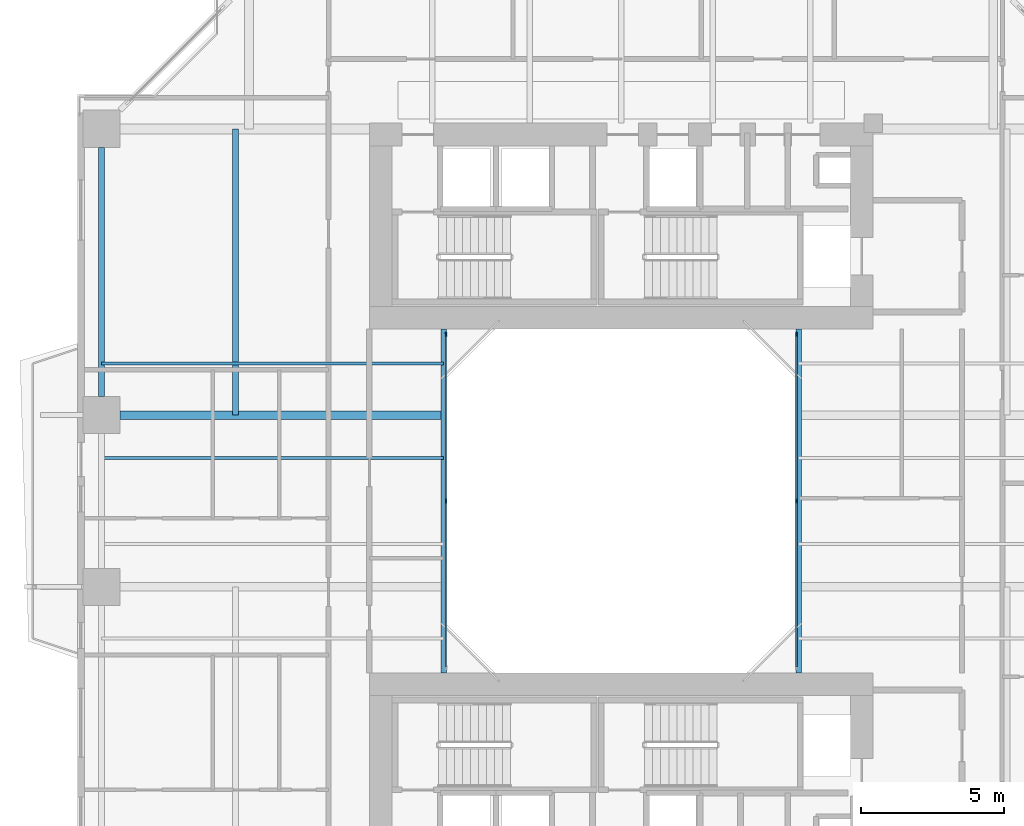
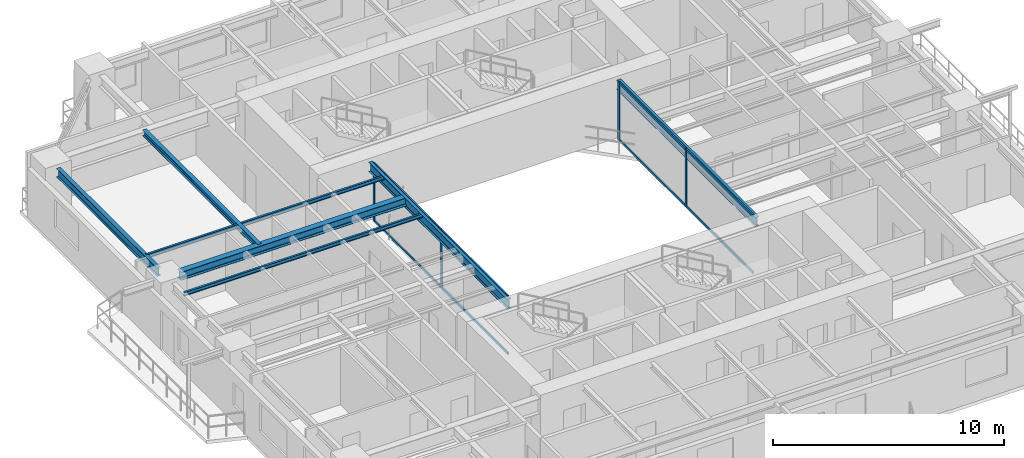
# One storey, part 4 of 23: 12 members, 7 beams, 2 elements without a shape of their own.
"""IFC4 building model written with IfcOpenShell, lengths in metres."""

import ifcopenshell
import ifcopenshell.guid

model = None  # the IFC model being written
_history = None  # IfcOwnerHistory: only IFC2X3 demands one
_inside = {}  # id of a spatial element -> (the spatial element, [elements in it])
_under = {}  # id of a project, library or spatial element -> (it, [spatial elements below it])
_declared = {}  # id of a project -> (the project, [libraries it declares])
_typed = {}  # id of a type object -> (the type object, [elements of that type])
_made_of = {}  # id of a material, layer set ... -> (it, [elements and type objects made of it])


def new_model(schema):
    """Start an empty IFC model of exactly this schema.

    Asked for "IFC4X3", IfcOpenShell would pick the latest addendum, in which some entities
    have other attributes; the version numbers below select the first issue.
    IFC2X3 requires an IfcOwnerHistory on every rooted entity: one is made here for all.
    """
    global model, _history
    if schema == "IFC4X3":
        model = ifcopenshell.file(schema_version=(4, 3, 0, 0))
    else:
        model = ifcopenshell.file(schema=schema)
    _inside.clear()
    _under.clear()
    _declared.clear()
    _typed.clear()
    _made_of.clear()
    _history = None
    if model.schema == "IFC2X3":
        org = make("IfcOrganization", Name="unknown")
        user = make(
            "IfcPersonAndOrganization",
            ThePerson=make("IfcPerson", FamilyName="unknown"),
            TheOrganization=org,
        )
        app = make(
            "IfcApplication",
            ApplicationDeveloper=org,
            Version="unknown",
            ApplicationFullName="unknown",
            ApplicationIdentifier="unknown",
        )
        _history = make(
            "IfcOwnerHistory",
            OwningUser=user,
            OwningApplication=app,
            ChangeAction="ADDED",
            CreationDate=0,
        )
    return model


def make(cls, **values):
    """One entity of the class cls with the attributes given. An attribute that is None is left unset."""
    return model.create_entity(
        cls, **{name: value for name, value in values.items() if value is not None}
    )


def rooted(cls, **values):
    """An entity with a GlobalId (a new one), such as an element, a storey or a relation."""
    return make(cls, GlobalId=ifcopenshell.guid.new(), OwnerHistory=_history, **values)


def si_unit(unit_type, name, prefix=None):
    """IfcSIUnit, for example si_unit("LENGTHUNIT", "METRE", prefix="MILLI")."""
    return make("IfcSIUnit", UnitType=unit_type, Prefix=prefix, Name=name)


def assignment(units):
    """IfcUnitAssignment: the units of a project."""
    return None if units is None else make("IfcUnitAssignment", Units=units)


def point(xyz):
    """IfcCartesianPoint."""
    return None if xyz is None else make("IfcCartesianPoint", Coordinates=xyz)


def direction(xyz):
    """IfcDirection."""
    return None if xyz is None else make("IfcDirection", DirectionRatios=xyz)


def frame(location, z_axis=None, x_axis=None):
    """IfcAxis2Placement3D, a coordinate frame: its origin and axes. An axis left out is left unset."""
    return make(
        "IfcAxis2Placement3D",
        Location=point(location),
        Axis=direction(z_axis),
        RefDirection=direction(x_axis),
    )


def frame_2d(location, x_axis=None):
    """IfcAxis2Placement2D, a coordinate frame in the plane: its origin and x axis."""
    return make(
        "IfcAxis2Placement2D", Location=point(location), RefDirection=direction(x_axis)
    )


def origin():
    """The frame at (0, 0, 0) with its axes left unset."""
    return frame((0.0, 0.0, 0.0))


def origin_2d():
    """The frame at (0, 0) in the plane with its x axis left unset."""
    return frame_2d((0.0, 0.0))


def place(relative_to, where):
    """IfcLocalPlacement: puts the frame where relative to a parent placement (None: the world)."""
    return make(
        "IfcLocalPlacement", PlacementRelTo=relative_to, RelativePlacement=where
    )


def context(
    kind, dimensions, precision=None, world=None, true_north=None, identifier=None
):
    """IfcGeometricRepresentationContext, for example the 3D "Model" context."""
    return make(
        "IfcGeometricRepresentationContext",
        ContextIdentifier=identifier,
        ContextType=kind,
        CoordinateSpaceDimension=dimensions,
        Precision=precision,
        WorldCoordinateSystem=world,
        TrueNorth=true_north,
    )


def subcontext(parent, identifier, kind, view, scale=None):
    """IfcGeometricRepresentationSubContext, for example "Body" below "Model"."""
    return make(
        "IfcGeometricRepresentationSubContext",
        ContextIdentifier=identifier,
        ContextType=kind,
        ParentContext=parent,
        TargetScale=scale,
        TargetView=view,
    )


def project(units=None, contexts=None):
    """IfcProject with its units and contexts."""
    return rooted(
        "IfcProject",
        Name="project",
        RepresentationContexts=contexts,
        UnitsInContext=assignment(units),
    )


def spatial(cls, under=None, at=None, **own):
    """A site, building, storey or space (cls), placed at a placement, below another one or the project."""
    s = rooted(cls, ObjectPlacement=at, **own)
    if under is not None:
        _under.setdefault(under.id(), (under, []))[1].append(s)
    return s


def profile(cls, at=None, kind="AREA", **sizes):
    """A parametric profile (cls). Its sizes go by their IFC names, for example OverallWidth=200.0."""
    return make(cls, ProfileType=kind, Position=at, **sizes)


def rectangle(**sizes):
    """IfcRectangleProfileDef."""
    return profile("IfcRectangleProfileDef", **sizes)


def i_section(**sizes):
    """IfcIShapeProfileDef."""
    return profile("IfcIShapeProfileDef", **sizes)


def extrude(swept, where, along, depth):
    """IfcExtrudedAreaSolid: the profile swept, set in the frame where, extruded along a direction by depth."""
    return make(
        "IfcExtrudedAreaSolid",
        SweptArea=swept,
        Position=where,
        ExtrudedDirection=direction(along),
        Depth=depth,
    )


def shape(context_of_items, identifier, shape_type, items):
    """IfcShapeRepresentation: the items that make up one representation, for example the "Body"."""
    return make(
        "IfcShapeRepresentation",
        ContextOfItems=context_of_items,
        RepresentationIdentifier=identifier,
        RepresentationType=shape_type,
        Items=items,
    )


def source(mapping_origin, context_of_items, identifier, shape_type, items):
    """IfcRepresentationMap: a shape defined once, which mapped items show again and again."""
    return make(
        "IfcRepresentationMap",
        MappingOrigin=mapping_origin,
        MappedRepresentation=shape(context_of_items, identifier, shape_type, items),
    )


def transform(
    local_origin,
    x_axis=None,
    y_axis=None,
    z_axis=None,
    scale=None,
    scale2=None,
    scale3=None,
    uniform=True,
):
    """IfcCartesianTransformationOperator3D, or its non-uniform kind. x_axis, y_axis, z_axis: its Axis1, 2, 3."""
    if uniform:
        return make(
            "IfcCartesianTransformationOperator3D",
            Axis1=direction(x_axis),
            Axis2=direction(y_axis),
            LocalOrigin=point(local_origin),
            Scale=scale,
            Axis3=direction(z_axis),
        )
    return make(
        "IfcCartesianTransformationOperator3DnonUniform",
        Axis1=direction(x_axis),
        Axis2=direction(y_axis),
        LocalOrigin=point(local_origin),
        Scale=scale,
        Axis3=direction(z_axis),
        Scale2=scale2,
        Scale3=scale3,
    )


def mapped(mapping_source, mapping_target):
    """IfcMappedItem: shows the shape of a source again, moved by a transform."""
    return make(
        "IfcMappedItem", MappingSource=mapping_source, MappingTarget=mapping_target
    )


def material(Name=None, Category=None):
    """IfcMaterial."""
    return make("IfcMaterial", Name=Name, Category=Category)


def layer(
    of_material, thickness, ventilated=None, Name=None, Category=None, Priority=None
):
    """IfcMaterialLayer: one layer of a wall or slab, of a material (None: an air gap)."""
    return make(
        "IfcMaterialLayer",
        Material=of_material,
        LayerThickness=thickness,
        IsVentilated=ventilated,
        Name=Name,
        Category=Category,
        Priority=Priority,
    )


def layer_set(layers, Name=None):
    """IfcMaterialLayerSet."""
    return make("IfcMaterialLayerSet", MaterialLayers=layers, LayerSetName=Name)


def material_profile(
    of_material, cross_section, Name=None, Category=None, Priority=None
):
    """IfcMaterialProfile: a cross section and its material."""
    return make(
        "IfcMaterialProfile",
        Name=Name,
        Material=of_material,
        Profile=cross_section,
        Priority=Priority,
        Category=Category,
    )


def profile_set(profiles, Name=None, composite=None):
    """IfcMaterialProfileSet."""
    return make(
        "IfcMaterialProfileSet",
        Name=Name,
        MaterialProfiles=profiles,
        CompositeProfile=composite,
    )


def made_of(thing, what):
    """Note that an element or type object is made of a material, layer set ...; save() writes the relation."""
    if what is not None:
        _made_of.setdefault(what.id(), (what, []))[1].append(thing)
    return thing


def type_object(cls, material=None, **own):
    """A type object (cls), such as IfcWallType, which elements share."""
    return made_of(rooted(cls, **own), material)


def element(
    cls,
    number,
    at=None,
    inside=None,
    cuts=None,
    type_object=None,
    material=None,
    context=None,
    identifier="Body",
    shape_type=None,
    held_by="IfcProductDefinitionShape",
    body=None,
    shapes=None,
    **own,
):
    """One element of the class cls, such as IfcWall. Its Tag is "e" and its number.

    at: its placement. inside: the storey or other place that contains it. cuts: it is an
    opening in that element (IfcRelVoidsElement). A single representation is given by context,
    identifier, shape_type and body (its items); several are given by shapes. held_by: the class
    of the entity that holds the representations. save() writes the other relations.
    """
    e = rooted(cls, Tag="e%d" % number, ObjectPlacement=at, **own)
    if body is not None:
        shapes = [shape(context, identifier, shape_type, body)]
    if shapes is not None:
        e.Representation = make(held_by, Representations=shapes)
    if inside is not None:
        _inside.setdefault(inside.id(), (inside, []))[1].append(e)
    if cuts is not None:
        rooted(
            "IfcRelVoidsElement", RelatingBuildingElement=cuts, RelatedOpeningElement=e
        )
    if type_object is not None:
        _typed.setdefault(type_object.id(), (type_object, []))[1].append(e)
    return made_of(e, material)


def aggregate(whole, parts):
    """IfcRelAggregates: a whole, such as a stair, and the parts it consists of."""
    return rooted("IfcRelAggregates", RelatingObject=whole, RelatedObjects=parts)


def save(model, path):
    """Write the relations noted so far, then the file.

    IfcRelAggregates (storeys below a building ...), IfcRelContainedInSpatialStructure (elements
    in a storey), IfcRelDefinesByType, IfcRelAssociatesMaterial and IfcRelDeclares: one each for
    every whole, place, type object, material and project.
    """
    for whole, parts in _under.values():
        aggregate(whole, parts)
    for where, things in _inside.values():
        rooted(
            "IfcRelContainedInSpatialStructure",
            RelatedElements=things,
            RelatingStructure=where,
        )
    for kind, things in _typed.values():
        rooted("IfcRelDefinesByType", RelatedObjects=things, RelatingType=kind)
    for what, things in _made_of.values():
        rooted("IfcRelAssociatesMaterial", RelatedObjects=things, RelatingMaterial=what)
    for by, libraries in _declared.values():
        rooted("IfcRelDeclares", RelatingContext=by, RelatedDefinitions=libraries)
    model.write(path)


model = new_model("IFC4")

# Units and contexts
model_context = context("Model", 3, precision=1e-05, world=origin(), true_north=direction((0.0, 1.0)))
body_context = subcontext(model_context, "Body", "Model", "MODEL_VIEW")
ifc_project = project(units=[si_unit("LENGTHUNIT", "METRE"), si_unit("AREAUNIT", "SQUARE_METRE"), si_unit("VOLUMEUNIT", "CUBIC_METRE"), si_unit("PLANEANGLEUNIT", "RADIAN"), si_unit("MASSUNIT", "GRAM", prefix="KILO"), si_unit("THERMODYNAMICTEMPERATUREUNIT", "KELVIN"), si_unit("POWERUNIT", "WATT")], contexts=[model_context])

# Site, building, storey
site_placement = place(None, origin())
site = spatial("IfcSite", under=ifc_project, at=site_placement, CompositionType="ELEMENT")
building_placement = place(site_placement, origin())
building = spatial("IfcBuilding", under=site, at=building_placement, Name="Qiaomeng Ring Towers", CompositionType="ELEMENT")
storey_placement = place(building_placement, frame((0.0, 0.0, 73.0)))
storey = spatial("IfcBuildingStorey", under=building, at=storey_placement, Name="L20", CompositionType="ELEMENT", Elevation=73.0)

# Beams
ifc_material_1 = material(Name="Steel Q355B", Category="steel")
ifc_material_profile_1 = material_profile(ifc_material_1, i_section(OverallWidth=0.199951171875, OverallDepth=0.5, WebThickness=0.010009765625, FlangeThickness=0.01611328125, FilletRadius=0.02001953125, at=origin_2d()), Name="HN 500x200x10x16")
ifc_profile_set_1 = profile_set([ifc_material_profile_1], Name="Steel Q355B")
beam_type_1 = type_object("IfcBeamType", Name="STR-BM-HN500", PredefinedType="BEAM", material=ifc_profile_set_1)
shared_shape_1 = source(origin(), body_context, "Body", "SweptSolid", [
    extrude(i_section(OverallWidth=0.199951171875, OverallDepth=0.5, WebThickness=0.010009765625, FlangeThickness=0.01611328125, FilletRadius=0.02001953125, at=origin_2d()), origin(), (0.0, 0.0, 1.0), 12.0),
])
for number, where, z_axis, x_axis, name in (
    (1, (12.800048828125, 17.0, 2.820068359375), (0.0, 1.0, 0.0), (-1.0, 0.0, 0.0), "L20 beam STR-BM-L20-WELL-W"),
    (2, (25.199951171875, 17.0, 2.820068359375), (0.0, 1.0, 0.0), (-1.0, 0.0, 0.0), "L20 beam STR-BM-L20-WELL-E"),
):
    element("IfcBeam", number, at=place(storey_placement, frame(where, z_axis=z_axis, x_axis=x_axis)), inside=storey, type_object=beam_type_1, Name=name, PredefinedType="BEAM", context=body_context, shape_type="MappedRepresentation", body=[
        mapped(shared_shape_1, transform((0.0, 0.0, 0.0), x_axis=(1.0, 0.0, 0.0), y_axis=(0.0, 1.0, 0.0), z_axis=(0.0, 0.0, 1.0), scale=1.0)),
    ])
ifc_material_profile_2 = material_profile(ifc_material_1, i_section(OverallWidth=0.199951171875, OverallDepth=0.449951171875, WebThickness=0.009033203125, FlangeThickness=0.013916015625, FilletRadius=0.01806640625, at=origin_2d()), Name="HN 450x200x9x14")
ifc_profile_set_2 = profile_set([ifc_material_profile_2], Name="Steel Q355B")
beam_type_2 = type_object("IfcBeamType", Name="STR-BM-HN450", PredefinedType="SPANDREL", material=ifc_profile_set_2)
shared_shape_2 = source(origin(), body_context, "Body", "SweptSolid", [
    extrude(i_section(OverallWidth=0.199951171875, OverallDepth=0.449951171875, WebThickness=0.009033203125, FlangeThickness=0.013916015625, FilletRadius=0.01806640625, at=origin_2d()), origin(), (0.0, 0.0, 1.0), 8.7021484375),
])
beam_1_placement = place(storey_placement, frame((0.85009765625, 35.35107421875, 2.844970703125), z_axis=(0.0, -1.0, 0.0), x_axis=(1.0, 0.0, 0.0)))
element("IfcBeam", 3, at=beam_1_placement, inside=storey, type_object=beam_type_2, Name="L20 beam STR-SP-L20-T1-W4-W3", PredefinedType="SPANDREL", context=body_context, shape_type="MappedRepresentation", body=[
    mapped(shared_shape_2, transform((0.0, 0.0, 0.0), x_axis=(1.0, 0.0, 0.0), y_axis=(0.0, 1.0, 0.0), z_axis=(0.0, 0.0, 1.0), scale=1.0)),
])
ifc_material_profile_3 = material_profile(ifc_material_1, i_section(OverallWidth=0.300048828125, OverallDepth=0.43994140625, WebThickness=0.010986328125, FlangeThickness=0.01806640625, FilletRadius=0.02392578125, at=origin_2d()), Name="HM 440x300x11x18")
ifc_profile_set_3 = profile_set([ifc_material_profile_3], Name="Steel Q355B")
beam_type_3 = type_object("IfcBeamType", Name="STR-BM-HM440", PredefinedType="BEAM", material=ifc_profile_set_3)
shared_shape_3 = source(origin(), body_context, "Body", "SweptSolid", [
    extrude(i_section(OverallWidth=0.300048828125, OverallDepth=0.43994140625, WebThickness=0.010986328125, FlangeThickness=0.01806640625, FilletRadius=0.02392578125, at=origin_2d()), origin(), (0.0, 0.0, 1.0), 11.301025390625),
])
beam_2_placement = place(storey_placement, frame((1.4990234375, 26.0, 2.85009765625), z_axis=(1.0, 0.0, 0.0), x_axis=(0.0, 1.0, 0.0)))
element("IfcBeam", 4, at=beam_2_placement, inside=storey, type_object=beam_type_3, Name="L20 beam STR-BM-L20-T1-RAD-W3", PredefinedType="BEAM", context=body_context, shape_type="MappedRepresentation", body=[
    mapped(shared_shape_3, transform((0.0, 0.0, 0.0), x_axis=(1.0, 0.0, 0.0), y_axis=(0.0, 1.0, 0.0), z_axis=(0.0, 0.0, 1.0), scale=1.0)),
])
ifc_material_profile_4 = material_profile(ifc_material_1, i_section(OverallWidth=0.10009765625, OverallDepth=0.199951171875, WebThickness=0.005615234375, FlangeThickness=0.008056640625, FilletRadius=0.010986328125, at=origin_2d()), Name="HN 200x100x5.5x8")
ifc_profile_set_4 = profile_set([ifc_material_profile_4], Name="Steel Q355B")
beam_type_4 = type_object("IfcBeamType", Name="STR-BM-HN200", PredefinedType="JOIST", material=ifc_profile_set_4)
shared_shape_4 = source(origin(), body_context, "Body", "SweptSolid", [
    extrude(i_section(OverallWidth=0.10009765625, OverallDepth=0.199951171875, WebThickness=0.005615234375, FlangeThickness=0.008056640625, FilletRadius=0.010986328125, at=origin_2d()), origin(), (0.0, 0.0, 1.0), 11.949951171875),
])
for number, where, z_axis, x_axis, name in (
    (5, (0.85009765625, 24.5, 2.969970703125), (1.0, 0.0, 0.0), (0.0, 1.0, 0.0), "L20 beam STR-JST-L20-T1W-3"),
    (6, (0.85009765625, 27.800048828125, 2.969970703125), (1.0, 0.0, 0.0), (0.0, 1.0, 0.0), "L20 beam STR-JST-L20-T1W-4"),
):
    element("IfcBeam", number, at=place(storey_placement, frame(where, z_axis=z_axis, x_axis=x_axis)), inside=storey, type_object=beam_type_4, Name=name, PredefinedType="JOIST", context=body_context, shape_type="MappedRepresentation", body=[
        mapped(shared_shape_4, transform((0.0, 0.0, 0.0), x_axis=(1.0, 0.0, 0.0), y_axis=(0.0, 1.0, 0.0), z_axis=(0.0, 0.0, 1.0), scale=1.0)),
    ])
ifc_material_profile_5 = material_profile(ifc_material_1, i_section(OverallWidth=0.199951171875, OverallDepth=0.2939453125, WebThickness=0.008056640625, FlangeThickness=0.011962890625, FilletRadius=0.01806640625, at=origin_2d()), Name="HM 294x200x8x12")
ifc_profile_set_5 = profile_set([ifc_material_profile_5], Name="Steel Q355B")
beam_type_5 = type_object("IfcBeamType", Name="STR-BM-HM294", PredefinedType="JOIST", material=ifc_profile_set_5)
shared_shape_5 = source(origin(), body_context, "Body", "SweptSolid", [
    extrude(i_section(OverallWidth=0.199951171875, OverallDepth=0.2939453125, WebThickness=0.008056640625, FlangeThickness=0.011962890625, FilletRadius=0.01806640625, at=origin_2d()), origin(), (0.0, 0.0, 1.0), 10.0),
])
beam_3_placement = place(storey_placement, frame((5.52490234375, 26.0, 2.923095703125), z_axis=(0.0, 1.0, 0.0), x_axis=(-1.0, 0.0, 0.0)))
element("IfcBeam", 7, at=beam_3_placement, inside=storey, type_object=beam_type_5, Name="L20 beam STR-JST-L20-T1C-WN", PredefinedType="JOIST", context=body_context, shape_type="MappedRepresentation", body=[
    mapped(shared_shape_5, transform((0.0, 0.0, 0.0), x_axis=(1.0, 0.0, 0.0), y_axis=(0.0, 1.0, 0.0), z_axis=(0.0, 0.0, 1.0), scale=1.0)),
])

# Curtain wall, members
ifc_material_2 = material(Name="Fluorocarbon dark-grey aluminium", Category="aluminium")
ifc_layer = layer(ifc_material_2, 0.139892578125, Name="Fluorocarbon dark-grey aluminium")
ifc_layer_set = layer_set([ifc_layer], Name="Fluorocarbon dark-grey aluminium")
curtain_wall_type = type_object("IfcCurtainWallType", Name="ARC-CW-4", PredefinedType="NOTDEFINED", material=ifc_layer_set)
curtain_wall_1_placement = place(storey_placement, origin())
curtain_wall_1 = element("IfcCurtainWall", 8, at=curtain_wall_1_placement, inside=storey, type_object=curtain_wall_type, Name="L20 Curtain Wall CW4", PredefinedType="NOTDEFINED")
ifc_material_profile_6 = material_profile(ifc_material_2, rectangle(XDim=0.06494140625, YDim=0.159912109375, at=origin_2d()), Name="ALU MULL 65x160")
ifc_profile_set_6 = profile_set([ifc_material_profile_6], Name="Fluorocarbon dark-grey aluminium")
member_type_1 = type_object("IfcMemberType", Name="ARC-CWM-140", PredefinedType="MULLION", material=ifc_profile_set_6)
shared_shape_6 = source(origin(), body_context, "Body", "SweptSolid", [
    extrude(rectangle(XDim=0.06494140625, YDim=0.159912109375, at=origin_2d()), origin(), (0.0, 0.0, 1.0), 3.070068359375),
])
member_1_placement = place(storey_placement, frame((12.8798828125, 23.0, 0.0), z_axis=(0.0, 0.0, 1.0), x_axis=(-1.0, 0.0, 0.0)))
member_1 = element("IfcMember", 9, at=member_1_placement, type_object=member_type_1, Name="CW4 mullion 2", PredefinedType="MULLION", context=body_context, shape_type="MappedRepresentation", body=[
    mapped(shared_shape_6, transform((0.0, 0.0, 0.0), x_axis=(1.0, 0.0, 0.0), y_axis=(0.0, 1.0, 0.0), z_axis=(0.0, 0.0, 1.0), scale=1.0)),
])
member_2_placement = place(storey_placement, frame((12.8798828125, 28.8173828125, 0.0), z_axis=(0.0, 0.0, 1.0), x_axis=(-1.0, 0.0, 0.0)))
member_2 = element("IfcMember", 10, at=member_2_placement, type_object=member_type_1, Name="CW4 mullion 3", PredefinedType="MULLION", context=body_context, shape_type="MappedRepresentation", body=[
    mapped(shared_shape_6, transform((0.0, 0.0, 0.0), x_axis=(1.0, 0.0, 0.0), y_axis=(0.0, 1.0, 0.0), z_axis=(0.0, 0.0, 1.0), scale=1.0)),
])

curtain_wall_2_placement = place(storey_placement, origin())
curtain_wall_2 = element("IfcCurtainWall", 11, at=curtain_wall_2_placement, inside=storey, type_object=curtain_wall_type, Name="L20 Curtain Wall CW4", PredefinedType="NOTDEFINED")
member_3_placement = place(storey_placement, frame((25.1201171875, 23.0, 0.0), z_axis=(0.0, 0.0, 1.0), x_axis=(-1.0, 0.0, 0.0)))
member_3 = element("IfcMember", 12, at=member_3_placement, type_object=member_type_1, Name="CW4 mullion 2", PredefinedType="MULLION", context=body_context, shape_type="MappedRepresentation", body=[
    mapped(shared_shape_6, transform((0.0, 0.0, 0.0), x_axis=(1.0, 0.0, 0.0), y_axis=(0.0, 1.0, 0.0), z_axis=(0.0, 0.0, 1.0), scale=1.0)),
])
member_4_placement = place(storey_placement, frame((25.1201171875, 28.8173828125, 0.0), z_axis=(0.0, 0.0, 1.0), x_axis=(-1.0, 0.0, 0.0)))
member_4 = element("IfcMember", 13, at=member_4_placement, type_object=member_type_1, Name="CW4 mullion 3", PredefinedType="MULLION", context=body_context, shape_type="MappedRepresentation", body=[
    mapped(shared_shape_6, transform((0.0, 0.0, 0.0), x_axis=(1.0, 0.0, 0.0), y_axis=(0.0, 1.0, 0.0), z_axis=(0.0, 0.0, 1.0), scale=1.0)),
])

# Member
ifc_material_profile_7 = material_profile(ifc_material_2, rectangle(XDim=0.06494140625, YDim=0.1298828125, at=origin_2d()), Name="ALU TRAN 65x130")
ifc_profile_set_7 = profile_set([ifc_material_profile_7], Name="Fluorocarbon dark-grey aluminium")
member_type_2 = type_object("IfcMemberType", Name="ARC-CWT-120", PredefinedType="USERDEFINED", material=ifc_profile_set_7)
shared_shape_7 = source(origin(), body_context, "Body", "SweptSolid", [
    extrude(rectangle(XDim=0.06494140625, YDim=0.1298828125, at=origin_2d()), origin(), (0.0, 0.0, 1.0), 5.75244140625),
])
member_5_placement = place(storey_placement, frame((12.8798828125, 17.215087890625, 0.032470703125), z_axis=(0.0, 1.0, 0.0), x_axis=(-1.0, 0.0, 0.0)))
member_5 = element("IfcMember", 14, at=member_5_placement, type_object=member_type_2, Name="CW4 transom 1.1", ObjectType="TRANSOM", PredefinedType="USERDEFINED", context=body_context, shape_type="MappedRepresentation", body=[
    mapped(shared_shape_7, transform((0.0, 0.0, 0.0), x_axis=(1.0, 0.0, 0.0), y_axis=(0.0, 1.0, 0.0), z_axis=(0.0, 0.0, 1.0), scale=1.0)),
])

member_6_placement = place(storey_placement, frame((12.8798828125, 17.215087890625, 3.03759765625), z_axis=(0.0, 1.0, 0.0), x_axis=(-1.0, 0.0, 0.0)))
member_6 = element("IfcMember", 15, at=member_6_placement, type_object=member_type_2, Name="CW4 transom 1.2", ObjectType="TRANSOM", PredefinedType="USERDEFINED", context=body_context, shape_type="MappedRepresentation", body=[
    mapped(shared_shape_7, transform((0.0, 0.0, 0.0), x_axis=(1.0, 0.0, 0.0), y_axis=(0.0, 1.0, 0.0), z_axis=(0.0, 0.0, 1.0), scale=1.0)),
])

member_7_placement = place(storey_placement, frame((12.8798828125, 23.032470703125, 0.032470703125), z_axis=(0.0, 1.0, 0.0), x_axis=(-1.0, 0.0, 0.0)))
member_7 = element("IfcMember", 16, at=member_7_placement, type_object=member_type_2, Name="CW4 transom 2.1", ObjectType="TRANSOM", PredefinedType="USERDEFINED", context=body_context, shape_type="MappedRepresentation", body=[
    mapped(shared_shape_7, transform((0.0, 0.0, 0.0), x_axis=(1.0, 0.0, 0.0), y_axis=(0.0, 1.0, 0.0), z_axis=(0.0, 0.0, 1.0), scale=1.0)),
])

member_8_placement = place(storey_placement, frame((12.8798828125, 23.032470703125, 3.03759765625), z_axis=(0.0, 1.0, 0.0), x_axis=(-1.0, 0.0, 0.0)))
member_8 = element("IfcMember", 17, at=member_8_placement, type_object=member_type_2, Name="CW4 transom 2.2", ObjectType="TRANSOM", PredefinedType="USERDEFINED", context=body_context, shape_type="MappedRepresentation", body=[
    mapped(shared_shape_7, transform((0.0, 0.0, 0.0), x_axis=(1.0, 0.0, 0.0), y_axis=(0.0, 1.0, 0.0), z_axis=(0.0, 0.0, 1.0), scale=1.0)),
])

aggregate(curtain_wall_1, [member_1, member_2, member_5, member_6, member_7, member_8])

member_9_placement = place(storey_placement, frame((25.1201171875, 17.215087890625, 0.032470703125), z_axis=(0.0, 1.0, 0.0), x_axis=(-1.0, 0.0, 0.0)))
member_9 = element("IfcMember", 18, at=member_9_placement, type_object=member_type_2, Name="CW4 transom 1.1", ObjectType="TRANSOM", PredefinedType="USERDEFINED", context=body_context, shape_type="MappedRepresentation", body=[
    mapped(shared_shape_7, transform((0.0, 0.0, 0.0), x_axis=(1.0, 0.0, 0.0), y_axis=(0.0, 1.0, 0.0), z_axis=(0.0, 0.0, 1.0), scale=1.0)),
])

member_10_placement = place(storey_placement, frame((25.1201171875, 17.215087890625, 3.03759765625), z_axis=(0.0, 1.0, 0.0), x_axis=(-1.0, 0.0, 0.0)))
member_10 = element("IfcMember", 19, at=member_10_placement, type_object=member_type_2, Name="CW4 transom 1.2", ObjectType="TRANSOM", PredefinedType="USERDEFINED", context=body_context, shape_type="MappedRepresentation", body=[
    mapped(shared_shape_7, transform((0.0, 0.0, 0.0), x_axis=(1.0, 0.0, 0.0), y_axis=(0.0, 1.0, 0.0), z_axis=(0.0, 0.0, 1.0), scale=1.0)),
])

member_11_placement = place(storey_placement, frame((25.1201171875, 23.032470703125, 0.032470703125), z_axis=(0.0, 1.0, 0.0), x_axis=(-1.0, 0.0, 0.0)))
member_11 = element("IfcMember", 20, at=member_11_placement, type_object=member_type_2, Name="CW4 transom 2.1", ObjectType="TRANSOM", PredefinedType="USERDEFINED", context=body_context, shape_type="MappedRepresentation", body=[
    mapped(shared_shape_7, transform((0.0, 0.0, 0.0), x_axis=(1.0, 0.0, 0.0), y_axis=(0.0, 1.0, 0.0), z_axis=(0.0, 0.0, 1.0), scale=1.0)),
])

member_12_placement = place(storey_placement, frame((25.1201171875, 23.032470703125, 3.03759765625), z_axis=(0.0, 1.0, 0.0), x_axis=(-1.0, 0.0, 0.0)))
member_12 = element("IfcMember", 21, at=member_12_placement, type_object=member_type_2, Name="CW4 transom 2.2", ObjectType="TRANSOM", PredefinedType="USERDEFINED", context=body_context, shape_type="MappedRepresentation", body=[
    mapped(shared_shape_7, transform((0.0, 0.0, 0.0), x_axis=(1.0, 0.0, 0.0), y_axis=(0.0, 1.0, 0.0), z_axis=(0.0, 0.0, 1.0), scale=1.0)),
])

aggregate(curtain_wall_2, [member_3, member_4, member_9, member_10, member_11, member_12])

save(model, "model.ifc")
